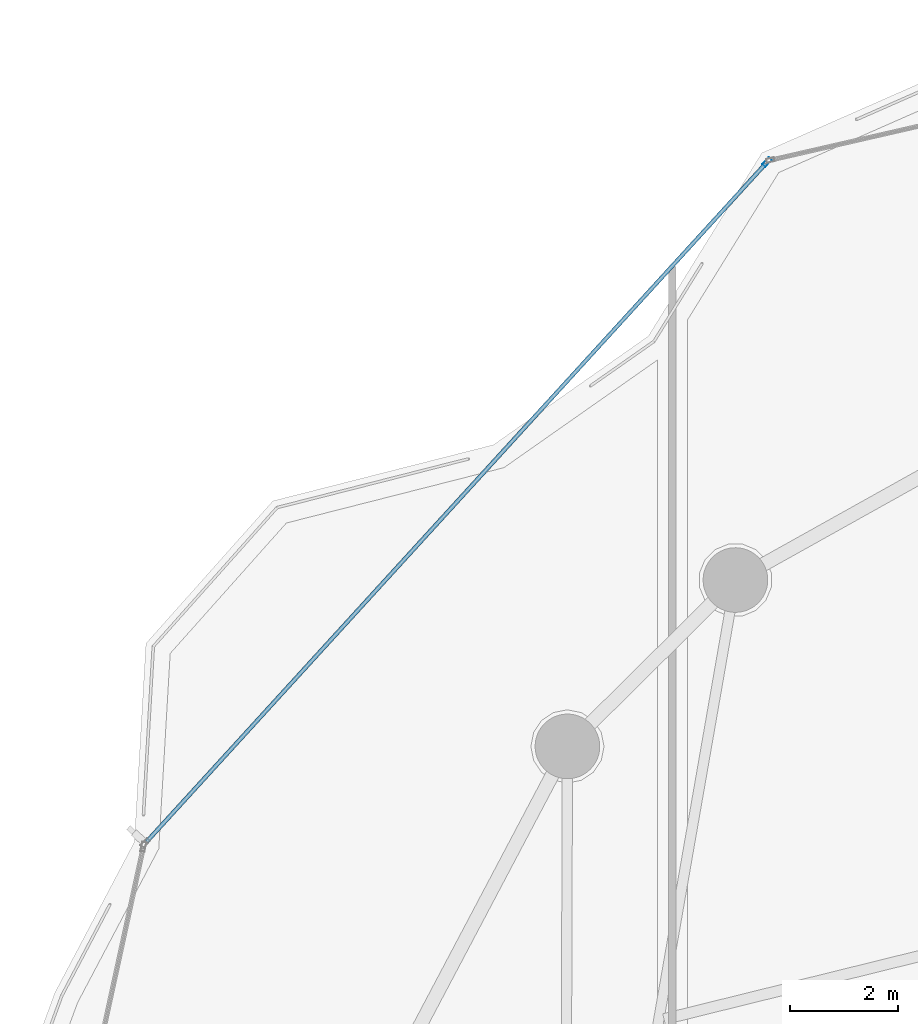
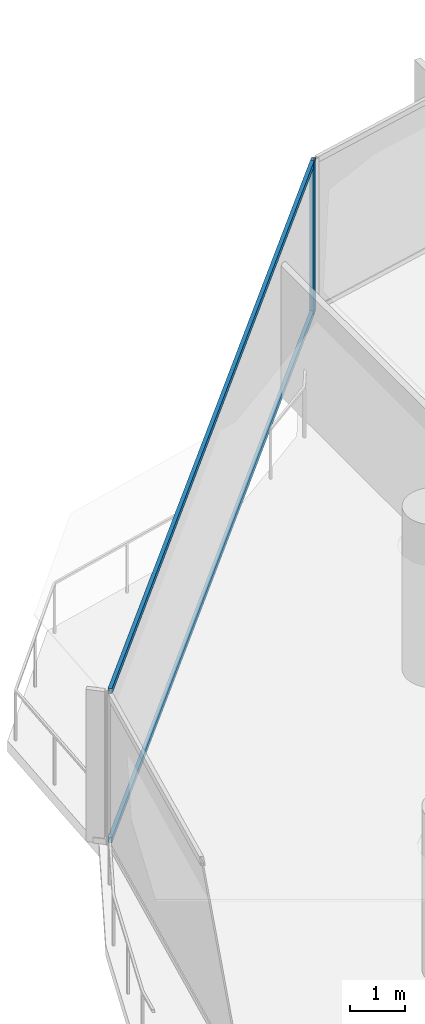
# One storey, part 18 of 34: 3 members, 1 element without a shape of its own.
"""IFC4 building model written with IfcOpenShell, lengths in metres."""

import ifcopenshell
import ifcopenshell.guid

model = None  # the IFC model being written
_history = None  # IfcOwnerHistory: only IFC2X3 demands one
_inside = {}  # id of a spatial element -> (the spatial element, [elements in it])
_under = {}  # id of a project, library or spatial element -> (it, [spatial elements below it])
_declared = {}  # id of a project -> (the project, [libraries it declares])
_typed = {}  # id of a type object -> (the type object, [elements of that type])
_made_of = {}  # id of a material, layer set ... -> (it, [elements and type objects made of it])


def new_model(schema):
    """Start an empty IFC model of exactly this schema.

    Asked for "IFC4X3", IfcOpenShell would pick the latest addendum, in which some entities
    have other attributes; the version numbers below select the first issue.
    IFC2X3 requires an IfcOwnerHistory on every rooted entity: one is made here for all.
    """
    global model, _history
    if schema == "IFC4X3":
        model = ifcopenshell.file(schema_version=(4, 3, 0, 0))
    else:
        model = ifcopenshell.file(schema=schema)
    _inside.clear()
    _under.clear()
    _declared.clear()
    _typed.clear()
    _made_of.clear()
    _history = None
    if model.schema == "IFC2X3":
        org = make("IfcOrganization", Name="unknown")
        user = make(
            "IfcPersonAndOrganization",
            ThePerson=make("IfcPerson", FamilyName="unknown"),
            TheOrganization=org,
        )
        app = make(
            "IfcApplication",
            ApplicationDeveloper=org,
            Version="unknown",
            ApplicationFullName="unknown",
            ApplicationIdentifier="unknown",
        )
        _history = make(
            "IfcOwnerHistory",
            OwningUser=user,
            OwningApplication=app,
            ChangeAction="ADDED",
            CreationDate=0,
        )
    return model


def make(cls, **values):
    """One entity of the class cls with the attributes given. An attribute that is None is left unset."""
    return model.create_entity(
        cls, **{name: value for name, value in values.items() if value is not None}
    )


def rooted(cls, **values):
    """An entity with a GlobalId (a new one), such as an element, a storey or a relation."""
    return make(cls, GlobalId=ifcopenshell.guid.new(), OwnerHistory=_history, **values)


def si_unit(unit_type, name, prefix=None):
    """IfcSIUnit, for example si_unit("LENGTHUNIT", "METRE", prefix="MILLI")."""
    return make("IfcSIUnit", UnitType=unit_type, Prefix=prefix, Name=name)


def assignment(units):
    """IfcUnitAssignment: the units of a project."""
    return None if units is None else make("IfcUnitAssignment", Units=units)


def point(xyz):
    """IfcCartesianPoint."""
    return None if xyz is None else make("IfcCartesianPoint", Coordinates=xyz)


def direction(xyz):
    """IfcDirection."""
    return None if xyz is None else make("IfcDirection", DirectionRatios=xyz)


def frame(location, z_axis=None, x_axis=None):
    """IfcAxis2Placement3D, a coordinate frame: its origin and axes. An axis left out is left unset."""
    return make(
        "IfcAxis2Placement3D",
        Location=point(location),
        Axis=direction(z_axis),
        RefDirection=direction(x_axis),
    )


def frame_2d(location, x_axis=None):
    """IfcAxis2Placement2D, a coordinate frame in the plane: its origin and x axis."""
    return make(
        "IfcAxis2Placement2D", Location=point(location), RefDirection=direction(x_axis)
    )


def origin():
    """The frame at (0, 0, 0) with its axes left unset."""
    return frame((0.0, 0.0, 0.0))


def origin_2d():
    """The frame at (0, 0) in the plane with its x axis left unset."""
    return frame_2d((0.0, 0.0))


def place(relative_to, where):
    """IfcLocalPlacement: puts the frame where relative to a parent placement (None: the world)."""
    return make(
        "IfcLocalPlacement", PlacementRelTo=relative_to, RelativePlacement=where
    )


def context(
    kind, dimensions, precision=None, world=None, true_north=None, identifier=None
):
    """IfcGeometricRepresentationContext, for example the 3D "Model" context."""
    return make(
        "IfcGeometricRepresentationContext",
        ContextIdentifier=identifier,
        ContextType=kind,
        CoordinateSpaceDimension=dimensions,
        Precision=precision,
        WorldCoordinateSystem=world,
        TrueNorth=true_north,
    )


def subcontext(parent, identifier, kind, view, scale=None):
    """IfcGeometricRepresentationSubContext, for example "Body" below "Model"."""
    return make(
        "IfcGeometricRepresentationSubContext",
        ContextIdentifier=identifier,
        ContextType=kind,
        ParentContext=parent,
        TargetScale=scale,
        TargetView=view,
    )


def project(units=None, contexts=None):
    """IfcProject with its units and contexts."""
    return rooted(
        "IfcProject",
        Name="project",
        RepresentationContexts=contexts,
        UnitsInContext=assignment(units),
    )


def spatial(cls, under=None, at=None, **own):
    """A site, building, storey or space (cls), placed at a placement, below another one or the project."""
    s = rooted(cls, ObjectPlacement=at, **own)
    if under is not None:
        _under.setdefault(under.id(), (under, []))[1].append(s)
    return s


def profile(cls, at=None, kind="AREA", **sizes):
    """A parametric profile (cls). Its sizes go by their IFC names, for example OverallWidth=200.0."""
    return make(cls, ProfileType=kind, Position=at, **sizes)


def hollow_rectangle(**sizes):
    """IfcRectangleHollowProfileDef."""
    return profile("IfcRectangleHollowProfileDef", **sizes)


def extrude(swept, where, along, depth):
    """IfcExtrudedAreaSolid: the profile swept, set in the frame where, extruded along a direction by depth."""
    return make(
        "IfcExtrudedAreaSolid",
        SweptArea=swept,
        Position=where,
        ExtrudedDirection=direction(along),
        Depth=depth,
    )


def shape(context_of_items, identifier, shape_type, items):
    """IfcShapeRepresentation: the items that make up one representation, for example the "Body"."""
    return make(
        "IfcShapeRepresentation",
        ContextOfItems=context_of_items,
        RepresentationIdentifier=identifier,
        RepresentationType=shape_type,
        Items=items,
    )


def material(Name=None, Category=None):
    """IfcMaterial."""
    return make("IfcMaterial", Name=Name, Category=Category)


def layer(
    of_material, thickness, ventilated=None, Name=None, Category=None, Priority=None
):
    """IfcMaterialLayer: one layer of a wall or slab, of a material (None: an air gap)."""
    return make(
        "IfcMaterialLayer",
        Material=of_material,
        LayerThickness=thickness,
        IsVentilated=ventilated,
        Name=Name,
        Category=Category,
        Priority=Priority,
    )


def layer_set(layers, Name=None):
    """IfcMaterialLayerSet."""
    return make("IfcMaterialLayerSet", MaterialLayers=layers, LayerSetName=Name)


def material_profile(
    of_material, cross_section, Name=None, Category=None, Priority=None
):
    """IfcMaterialProfile: a cross section and its material."""
    return make(
        "IfcMaterialProfile",
        Name=Name,
        Material=of_material,
        Profile=cross_section,
        Priority=Priority,
        Category=Category,
    )


def profile_set(profiles, Name=None, composite=None):
    """IfcMaterialProfileSet."""
    return make(
        "IfcMaterialProfileSet",
        Name=Name,
        MaterialProfiles=profiles,
        CompositeProfile=composite,
    )


def made_of(thing, what):
    """Note that an element or type object is made of a material, layer set ...; save() writes the relation."""
    if what is not None:
        _made_of.setdefault(what.id(), (what, []))[1].append(thing)
    return thing


def type_object(cls, material=None, **own):
    """A type object (cls), such as IfcWallType, which elements share."""
    return made_of(rooted(cls, **own), material)


def element(
    cls,
    number,
    at=None,
    inside=None,
    cuts=None,
    type_object=None,
    material=None,
    context=None,
    identifier="Body",
    shape_type=None,
    held_by="IfcProductDefinitionShape",
    body=None,
    shapes=None,
    **own,
):
    """One element of the class cls, such as IfcWall. Its Tag is "e" and its number.

    at: its placement. inside: the storey or other place that contains it. cuts: it is an
    opening in that element (IfcRelVoidsElement). A single representation is given by context,
    identifier, shape_type and body (its items); several are given by shapes. held_by: the class
    of the entity that holds the representations. save() writes the other relations.
    """
    e = rooted(cls, Tag="e%d" % number, ObjectPlacement=at, **own)
    if body is not None:
        shapes = [shape(context, identifier, shape_type, body)]
    if shapes is not None:
        e.Representation = make(held_by, Representations=shapes)
    if inside is not None:
        _inside.setdefault(inside.id(), (inside, []))[1].append(e)
    if cuts is not None:
        rooted(
            "IfcRelVoidsElement", RelatingBuildingElement=cuts, RelatedOpeningElement=e
        )
    if type_object is not None:
        _typed.setdefault(type_object.id(), (type_object, []))[1].append(e)
    return made_of(e, material)


def aggregate(whole, parts):
    """IfcRelAggregates: a whole, such as a stair, and the parts it consists of."""
    return rooted("IfcRelAggregates", RelatingObject=whole, RelatedObjects=parts)


def save(model, path):
    """Write the relations noted so far, then the file.

    IfcRelAggregates (storeys below a building ...), IfcRelContainedInSpatialStructure (elements
    in a storey), IfcRelDefinesByType, IfcRelAssociatesMaterial and IfcRelDeclares: one each for
    every whole, place, type object, material and project.
    """
    for whole, parts in _under.values():
        aggregate(whole, parts)
    for where, things in _inside.values():
        rooted(
            "IfcRelContainedInSpatialStructure",
            RelatedElements=things,
            RelatingStructure=where,
        )
    for kind, things in _typed.values():
        rooted("IfcRelDefinesByType", RelatedObjects=things, RelatingType=kind)
    for what, things in _made_of.values():
        rooted("IfcRelAssociatesMaterial", RelatedObjects=things, RelatingMaterial=what)
    for by, libraries in _declared.values():
        rooted("IfcRelDeclares", RelatingContext=by, RelatedDefinitions=libraries)
    model.write(path)


model = new_model("IFC4")

# Units and contexts
model_context = context("Model", 3, precision=1e-05, world=origin(), true_north=direction((0.0, 1.0)))
body_context = subcontext(model_context, "Body", "Model", "MODEL_VIEW")
ifc_project = project(units=[si_unit("LENGTHUNIT", "METRE"), si_unit("AREAUNIT", "SQUARE_METRE"), si_unit("VOLUMEUNIT", "CUBIC_METRE"), si_unit("PLANEANGLEUNIT", "RADIAN"), si_unit("MASSUNIT", "GRAM", prefix="KILO")], contexts=[model_context])

# Site, building, storey
site_placement = place(None, origin())
site = spatial("IfcSite", under=ifc_project, at=site_placement, CompositionType="ELEMENT")
building_placement = place(site_placement, origin())
building = spatial("IfcBuilding", under=site, at=building_placement, Name="Kazevale Care Tower and Concert Hall", CompositionType="ELEMENT")
storey_placement = place(building_placement, frame((0.0, 0.0, 156.60009765625)))
storey = spatial("IfcBuildingStorey", under=building, at=storey_placement, Name="L41", CompositionType="ELEMENT", Elevation=156.60009765625)

# Curtain wall, members
ifc_material_1 = material(Name="Aluminium 6063-T6 and Low-E Glass", Category="aluminium")
ifc_layer = layer(ifc_material_1, 0.179931640625)
ifc_layer_set = layer_set([ifc_layer], Name="Aluminium 6063-T6 and Low-E Glass")
curtain_wall_type = type_object("IfcCurtainWallType", Name="Convex Checkerboard Finned Curtain Wall CW-2", PredefinedType="NOTDEFINED", material=ifc_layer_set)
curtain_wall_placement = place(storey_placement, origin())
curtain_wall = element("IfcCurtainWall", 1, at=curtain_wall_placement, inside=storey, type_object=curtain_wall_type, Name="cw:L41:f14", PredefinedType="NOTDEFINED")
ifc_material_2 = material(Name="Aluminium 6063-T6", Category="aluminium")
ifc_material_profile_1 = material_profile(ifc_material_2, hollow_rectangle(XDim=0.080078125, YDim=0.179931640625, WallThickness=0.0048828125, at=origin_2d()), Name="ALU80x180x5")
ifc_profile_set_1 = profile_set([ifc_material_profile_1], Name="Aluminium 6063-T6")
member_type_1 = type_object("IfcMemberType", Name="CW-2 Mullion ALU80x180x5", PredefinedType="MULLION", material=ifc_profile_set_1)
member_1_placement = place(storey_placement, frame((25.757080078125, 62.340576171875, 0.0), z_axis=(0.0, 0.0, 1.0), x_axis=(-0.738491785899, 0.674262472751, 0.0)))
member_1 = element("IfcMember", 2, at=member_1_placement, type_object=member_type_1, Name="CW-2 mullion 2", PredefinedType="MULLION", context=body_context, shape_type="SweptSolid", body=[
    extrude(hollow_rectangle(XDim=0.080078125, YDim=0.179931640625, WallThickness=0.0048828125, at=origin_2d()), origin(), (0.0, 0.0, 1.0), 3.35986328125),
])
ifc_material_profile_2 = material_profile(ifc_material_2, hollow_rectangle(XDim=0.074951171875, YDim=0.1201171875, WallThickness=0.00390625, at=origin_2d()), Name="ALU75x120x4")
ifc_profile_set_2 = profile_set([ifc_material_profile_2], Name="Aluminium 6063-T6")
member_type_2 = type_object("IfcMemberType", Name="CW-2 Transom ALU75x120x4", PredefinedType="USERDEFINED", material=ifc_profile_set_2)
member_2_placement = place(storey_placement, frame((14.238037109375, 49.72412109375, 0.037353515625), z_axis=(0.674254759105, 0.738498828587, 0.0), x_axis=(-0.738498828587, 0.674254759105, 0.0)))
member_2 = element("IfcMember", 3, at=member_2_placement, type_object=member_type_2, Name="CW-2 transom 1.1", ObjectType="TRANSOM", PredefinedType="USERDEFINED", context=body_context, shape_type="SweptSolid", body=[
    extrude(hollow_rectangle(XDim=0.074951171875, YDim=0.1201171875, WallThickness=0.00390625, at=origin_2d()), origin(), (0.0, 0.0, 1.0), 17.0439453125),
])
member_3_placement = place(storey_placement, frame((14.238037109375, 49.72412109375, 3.322509765625), z_axis=(0.674254759105, 0.738498828587, 0.0), x_axis=(-0.738498828587, 0.674254759105, 0.0)))
member_3 = element("IfcMember", 4, at=member_3_placement, type_object=member_type_2, Name="CW-2 transom 1.2", ObjectType="TRANSOM", PredefinedType="USERDEFINED", context=body_context, shape_type="SweptSolid", body=[
    extrude(hollow_rectangle(XDim=0.074951171875, YDim=0.1201171875, WallThickness=0.00390625, at=origin_2d()), origin(), (0.0, 0.0, 1.0), 17.0439453125),
])
aggregate(curtain_wall, [member_1, member_2, member_3])

save(model, "model.ifc")
